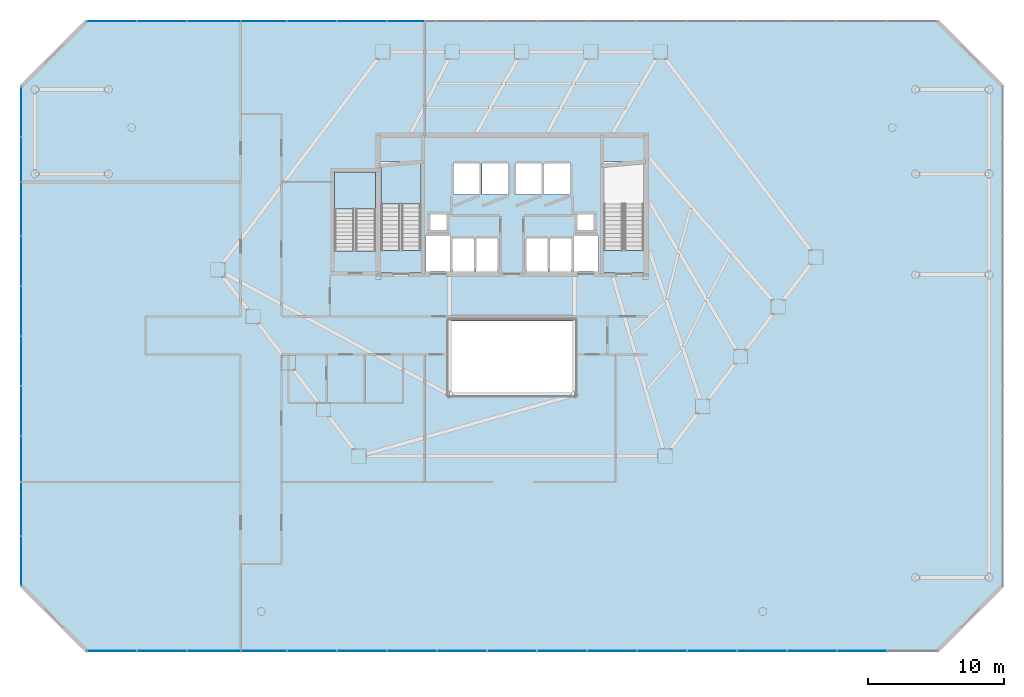
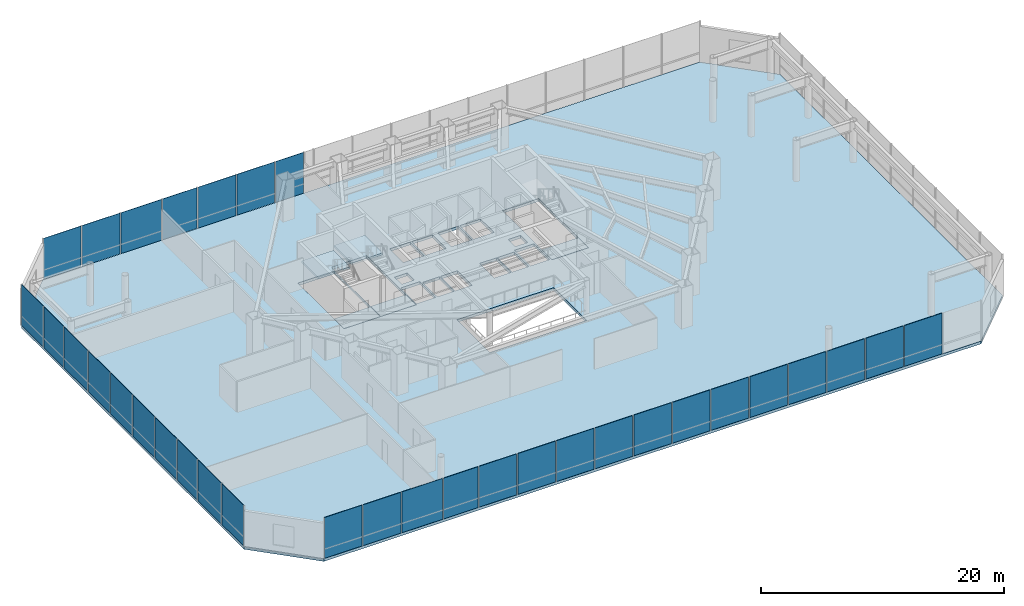
# One storey, part 32 of 37: 33 plates, 6 slabs, 5 elements without a shape of their own.
"""IFC4 building model written with IfcOpenShell, lengths in metres."""

from ifc_helpers import new_model, si_unit, direction, frame, origin, origin_2d, place, context, subcontext, project, spatial, polyline, rectangle, outline, extrude, material, layer, layer_set, type_object, element, aggregate, save


model = new_model("IFC4")

# Units and contexts
model_context = context("Model", 3, precision=1e-05, world=origin(), true_north=direction((0.0, 1.0)))
body_context = subcontext(model_context, "Body", "Model", "MODEL_VIEW")
ifc_project = project(units=[si_unit("LENGTHUNIT", "METRE"), si_unit("AREAUNIT", "SQUARE_METRE"), si_unit("VOLUMEUNIT", "CUBIC_METRE"), si_unit("PLANEANGLEUNIT", "RADIAN"), si_unit("MASSUNIT", "GRAM", prefix="KILO")], contexts=[model_context])

# Site, building, storey
site_placement = place(None, origin())
site = spatial("IfcSite", under=ifc_project, at=site_placement, CompositionType="ELEMENT")
building_placement = place(site_placement, origin())
building = spatial("IfcBuilding", under=site, at=building_placement, Name="Zarrinselat Tower", CompositionType="ELEMENT")
storey_placement = place(building_placement, frame((0.0, 0.0, 9.52001953125)))
storey = spatial("IfcBuildingStorey", under=building, at=storey_placement, Name="L02", CompositionType="ELEMENT", Elevation=9.52001953125)

# Curtain wall, plates
ifc_material_1 = material(Name="Extruded Aluminium Alloy EN AW-6063 T6", Category="aluminium")
ifc_layer_1 = layer(ifc_material_1, 0.2099609375)
ifc_layer_set_1 = layer_set([ifc_layer_1], Name="Extruded Aluminium Alloy EN AW-6063 T6")
curtain_wall_type = type_object("IfcCurtainWallType", Name="CWS-POD", PredefinedType="NOTDEFINED", material=ifc_layer_set_1)
curtain_wall_1_placement = place(storey_placement, origin())
curtain_wall_1 = element("IfcCurtainWall", 1, at=curtain_wall_1_placement, inside=storey, type_object=curtain_wall_type, Name="L02 Unitised Curtain Wall CW-L02-F1", PredefinedType="NOTDEFINED")
ifc_material_2 = material(Name="Double Low-E Laminated Solar Glass", Category="glass")
ifc_layer_2 = layer(ifc_material_2, 0.035888671875)
ifc_layer_set_2 = layer_set([ifc_layer_2], Name="Double Low-E Laminated Solar Glass")
plate_type = type_object("IfcPlateType", Name="PLT-CW-GL36", PredefinedType="CURTAIN_PANEL", material=ifc_layer_set_2)
plate_1_placement = place(storey_placement, frame((9.035400390625, 5.60009765625, 0.02001953125), z_axis=(0.0, 0.0, 1.0), x_axis=(1.0, 0.0, 0.0)))
plate_1 = element("IfcPlate", 2, at=plate_1_placement, type_object=plate_type, Name="CW-L02-F1 Vision Glass Panel 1", PredefinedType="CURTAIN_PANEL", context=body_context, shape_type="SweptSolid", body=[
    extrude(rectangle(XDim=3.570556640625, YDim=0.035888671875, at=origin_2d()), origin(), (0.0, 0.0, 1.0), 4.10009765625),
])
plate_2_placement = place(storey_placement, frame((12.705810546875, 5.60009765625, 0.02001953125), z_axis=(0.0, 0.0, 1.0), x_axis=(1.0, 0.0, 0.0)))
plate_2 = element("IfcPlate", 3, at=plate_2_placement, type_object=plate_type, Name="CW-L02-F1 Vision Glass Panel 2", PredefinedType="CURTAIN_PANEL", context=body_context, shape_type="SweptSolid", body=[
    extrude(rectangle(XDim=3.570556640625, YDim=0.035888671875, at=origin_2d()), origin(), (0.0, 0.0, 1.0), 4.10009765625),
])
plate_3_placement = place(storey_placement, frame((16.5205078125, 5.60009765625, 0.02001953125), z_axis=(0.0, 0.0, 1.0), x_axis=(1.0, 0.0, 0.0)))
plate_3 = element("IfcPlate", 4, at=plate_3_placement, type_object=plate_type, Name="CW-L02-F1 Vision Glass Panel 3", PredefinedType="CURTAIN_PANEL", context=body_context, shape_type="SweptSolid", body=[
    extrude(rectangle(XDim=3.85888671875, YDim=0.035888671875, at=origin_2d()), origin(), (0.0, 0.0, 1.0), 4.10009765625),
])
plate_4_placement = place(storey_placement, frame((20.191162109375, 5.60009765625, 0.02001953125), z_axis=(0.0, 0.0, 1.0), x_axis=(1.0, 0.0, 0.0)))
plate_4 = element("IfcPlate", 5, at=plate_4_placement, type_object=plate_type, Name="CW-L02-F1 Vision Glass Panel 4", PredefinedType="CURTAIN_PANEL", context=body_context, shape_type="SweptSolid", body=[
    extrude(rectangle(XDim=3.282470703125, YDim=0.035888671875, at=origin_2d()), origin(), (0.0, 0.0, 1.0), 4.10009765625),
])
plate_5_placement = place(storey_placement, frame((23.717529296875, 5.60009765625, 0.02001953125), z_axis=(0.0, 0.0, 1.0), x_axis=(1.0, 0.0, 0.0)))
plate_5 = element("IfcPlate", 6, at=plate_5_placement, type_object=plate_type, Name="CW-L02-F1 Vision Glass Panel 5", PredefinedType="CURTAIN_PANEL", context=body_context, shape_type="SweptSolid", body=[
    extrude(rectangle(XDim=3.570556640625, YDim=0.035888671875, at=origin_2d()), origin(), (0.0, 0.0, 1.0), 4.10009765625),
])
plate_6_placement = place(storey_placement, frame((27.38818359375, 5.60009765625, 0.02001953125), z_axis=(0.0, 0.0, 1.0), x_axis=(1.0, 0.0, 0.0)))
plate_6 = element("IfcPlate", 7, at=plate_6_placement, type_object=plate_type, Name="CW-L02-F1 Vision Glass Panel 6", PredefinedType="CURTAIN_PANEL", context=body_context, shape_type="SweptSolid", body=[
    extrude(rectangle(XDim=3.570556640625, YDim=0.035888671875, at=origin_2d()), origin(), (0.0, 0.0, 1.0), 4.10009765625),
])
plate_7_placement = place(storey_placement, frame((31.058837890625, 5.60009765625, 0.02001953125), z_axis=(0.0, 0.0, 1.0), x_axis=(1.0, 0.0, 0.0)))
plate_7 = element("IfcPlate", 8, at=plate_7_placement, type_object=plate_type, Name="CW-L02-F1 Vision Glass Panel 7", PredefinedType="CURTAIN_PANEL", context=body_context, shape_type="SweptSolid", body=[
    extrude(rectangle(XDim=3.570556640625, YDim=0.035888671875, at=origin_2d()), origin(), (0.0, 0.0, 1.0), 4.10009765625),
])
plate_8_placement = place(storey_placement, frame((34.7294921875, 5.60009765625, 0.02001953125), z_axis=(0.0, 0.0, 1.0), x_axis=(1.0, 0.0, 0.0)))
plate_8 = element("IfcPlate", 9, at=plate_8_placement, type_object=plate_type, Name="CW-L02-F1 Vision Glass Panel 8", PredefinedType="CURTAIN_PANEL", context=body_context, shape_type="SweptSolid", body=[
    extrude(rectangle(XDim=3.570556640625, YDim=0.035888671875, at=origin_2d()), origin(), (0.0, 0.0, 1.0), 4.10009765625),
])
plate_9_placement = place(storey_placement, frame((38.39990234375, 5.60009765625, 0.02001953125), z_axis=(0.0, 0.0, 1.0), x_axis=(1.0, 0.0, 0.0)))
plate_9 = element("IfcPlate", 10, at=plate_9_placement, type_object=plate_type, Name="CW-L02-F1 Vision Glass Panel 9", PredefinedType="CURTAIN_PANEL", context=body_context, shape_type="SweptSolid", body=[
    extrude(rectangle(XDim=3.570556640625, YDim=0.035888671875, at=origin_2d()), origin(), (0.0, 0.0, 1.0), 4.10009765625),
])
plate_10_placement = place(storey_placement, frame((42.070556640625, 5.60009765625, 0.02001953125), z_axis=(0.0, 0.0, 1.0), x_axis=(1.0, 0.0, 0.0)))
plate_10 = element("IfcPlate", 11, at=plate_10_placement, type_object=plate_type, Name="CW-L02-F1 Vision Glass Panel 10", PredefinedType="CURTAIN_PANEL", context=body_context, shape_type="SweptSolid", body=[
    extrude(rectangle(XDim=3.570556640625, YDim=0.035888671875, at=origin_2d()), origin(), (0.0, 0.0, 1.0), 4.10009765625),
])
plate_11_placement = place(storey_placement, frame((45.7412109375, 5.60009765625, 0.02001953125), z_axis=(0.0, 0.0, 1.0), x_axis=(1.0, 0.0, 0.0)))
plate_11 = element("IfcPlate", 12, at=plate_11_placement, type_object=plate_type, Name="CW-L02-F1 Vision Glass Panel 11", PredefinedType="CURTAIN_PANEL", context=body_context, shape_type="SweptSolid", body=[
    extrude(rectangle(XDim=3.570556640625, YDim=0.035888671875, at=origin_2d()), origin(), (0.0, 0.0, 1.0), 4.10009765625),
])
plate_12_placement = place(storey_placement, frame((49.411865234375, 5.60009765625, 0.02001953125), z_axis=(0.0, 0.0, 1.0), x_axis=(1.0, 0.0, 0.0)))
plate_12 = element("IfcPlate", 13, at=plate_12_placement, type_object=plate_type, Name="CW-L02-F1 Vision Glass Panel 12", PredefinedType="CURTAIN_PANEL", context=body_context, shape_type="SweptSolid", body=[
    extrude(rectangle(XDim=3.570556640625, YDim=0.035888671875, at=origin_2d()), origin(), (0.0, 0.0, 1.0), 4.10009765625),
])
plate_13_placement = place(storey_placement, frame((53.08251953125, 5.60009765625, 0.02001953125), z_axis=(0.0, 0.0, 1.0), x_axis=(1.0, 0.0, 0.0)))
plate_13 = element("IfcPlate", 14, at=plate_13_placement, type_object=plate_type, Name="CW-L02-F1 Vision Glass Panel 13", PredefinedType="CURTAIN_PANEL", context=body_context, shape_type="SweptSolid", body=[
    extrude(rectangle(XDim=3.570556640625, YDim=0.035888671875, at=origin_2d()), origin(), (0.0, 0.0, 1.0), 4.10009765625),
])
plate_14_placement = place(storey_placement, frame((56.7529296875, 5.60009765625, 0.02001953125), z_axis=(0.0, 0.0, 1.0), x_axis=(1.0, 0.0, 0.0)))
plate_14 = element("IfcPlate", 15, at=plate_14_placement, type_object=plate_type, Name="CW-L02-F1 Vision Glass Panel 14", PredefinedType="CURTAIN_PANEL", context=body_context, shape_type="SweptSolid", body=[
    extrude(rectangle(XDim=3.570556640625, YDim=0.035888671875, at=origin_2d()), origin(), (0.0, 0.0, 1.0), 4.10009765625),
])
plate_15_placement = place(storey_placement, frame((60.423583984375, 5.60009765625, 0.02001953125), z_axis=(0.0, 0.0, 1.0), x_axis=(1.0, 0.0, 0.0)))
plate_15 = element("IfcPlate", 16, at=plate_15_placement, type_object=plate_type, Name="CW-L02-F1 Vision Glass Panel 15", PredefinedType="CURTAIN_PANEL", context=body_context, shape_type="SweptSolid", body=[
    extrude(rectangle(XDim=3.570556640625, YDim=0.035888671875, at=origin_2d()), origin(), (0.0, 0.0, 1.0), 4.10009765625),
])
plate_16_placement = place(storey_placement, frame((64.093994140625, 5.60009765625, 0.02001953125), z_axis=(0.0, 0.0, 1.0), x_axis=(1.0, 0.0, 0.0)))
plate_16 = element("IfcPlate", 17, at=plate_16_placement, type_object=plate_type, Name="CW-L02-F1 Vision Glass Panel 16", PredefinedType="CURTAIN_PANEL", context=body_context, shape_type="SweptSolid", body=[
    extrude(rectangle(XDim=3.570556640625, YDim=0.035888671875, at=origin_2d()), origin(), (0.0, 0.0, 1.0), 4.10009765625),
])
aggregate(curtain_wall_1, [plate_1, plate_2, plate_3, plate_4, plate_5, plate_6, plate_7, plate_8, plate_9, plate_10, plate_11, plate_12, plate_13, plate_14, plate_15, plate_16])

curtain_wall_2_placement = place(storey_placement, origin())
curtain_wall_2 = element("IfcCurtainWall", 18, at=curtain_wall_2_placement, inside=storey, type_object=curtain_wall_type, Name="L02 Unitised Curtain Wall CW-L02-F5", PredefinedType="NOTDEFINED")
plate_17_placement = place(storey_placement, frame((30.61181640625, 51.800048828125, 0.02001953125), z_axis=(0.0, 0.0, 1.0), x_axis=(-1.0, 0.0, 0.0)))
plate_17 = element("IfcPlate", 19, at=plate_17_placement, type_object=plate_type, Name="CW-L02-F5 Vision Glass Panel 12", PredefinedType="CURTAIN_PANEL", context=body_context, shape_type="SweptSolid", body=[
    extrude(rectangle(XDim=2.676513671875, YDim=0.035888671875, at=origin_2d()), origin(), (0.0, 0.0, 1.0), 4.10009765625),
])
plate_18_placement = place(storey_placement, frame((27.38818359375, 51.800048828125, 0.02001953125), z_axis=(0.0, 0.0, 1.0), x_axis=(-1.0, 0.0, 0.0)))
plate_18 = element("IfcPlate", 20, at=plate_18_placement, type_object=plate_type, Name="CW-L02-F5 Vision Glass Panel 13", PredefinedType="CURTAIN_PANEL", context=body_context, shape_type="SweptSolid", body=[
    extrude(rectangle(XDim=3.570556640625, YDim=0.035888671875, at=origin_2d()), origin(), (0.0, 0.0, 1.0), 4.10009765625),
])
plate_19_placement = place(storey_placement, frame((23.717529296875, 51.800048828125, 0.02001953125), z_axis=(0.0, 0.0, 1.0), x_axis=(-1.0, 0.0, 0.0)))
plate_19 = element("IfcPlate", 21, at=plate_19_placement, type_object=plate_type, Name="CW-L02-F5 Vision Glass Panel 14", PredefinedType="CURTAIN_PANEL", context=body_context, shape_type="SweptSolid", body=[
    extrude(rectangle(XDim=3.570556640625, YDim=0.035888671875, at=origin_2d()), origin(), (0.0, 0.0, 1.0), 4.10009765625),
])
plate_20_placement = place(storey_placement, frame((20.191162109375, 51.800048828125, 0.02001953125), z_axis=(0.0, 0.0, 1.0), x_axis=(-1.0, 0.0, 0.0)))
plate_20 = element("IfcPlate", 22, at=plate_20_placement, type_object=plate_type, Name="CW-L02-F5 Vision Glass Panel 15", PredefinedType="CURTAIN_PANEL", context=body_context, shape_type="SweptSolid", body=[
    extrude(rectangle(XDim=3.282470703125, YDim=0.035888671875, at=origin_2d()), origin(), (0.0, 0.0, 1.0), 4.10009765625),
])
plate_21_placement = place(storey_placement, frame((16.5205078125, 51.800048828125, 0.02001953125), z_axis=(0.0, 0.0, 1.0), x_axis=(-1.0, 0.0, 0.0)))
plate_21 = element("IfcPlate", 23, at=plate_21_placement, type_object=plate_type, Name="CW-L02-F5 Vision Glass Panel 16", PredefinedType="CURTAIN_PANEL", context=body_context, shape_type="SweptSolid", body=[
    extrude(rectangle(XDim=3.85888671875, YDim=0.035888671875, at=origin_2d()), origin(), (0.0, 0.0, 1.0), 4.10009765625),
])
plate_22_placement = place(storey_placement, frame((12.705810546875, 51.800048828125, 0.02001953125), z_axis=(0.0, 0.0, 1.0), x_axis=(-1.0, 0.0, 0.0)))
plate_22 = element("IfcPlate", 24, at=plate_22_placement, type_object=plate_type, Name="CW-L02-F5 Vision Glass Panel 17", PredefinedType="CURTAIN_PANEL", context=body_context, shape_type="SweptSolid", body=[
    extrude(rectangle(XDim=3.570556640625, YDim=0.035888671875, at=origin_2d()), origin(), (0.0, 0.0, 1.0), 4.10009765625),
])
plate_23_placement = place(storey_placement, frame((9.035400390625, 51.800048828125, 0.02001953125), z_axis=(0.0, 0.0, 1.0), x_axis=(-1.0, 0.0, 0.0)))
plate_23 = element("IfcPlate", 25, at=plate_23_placement, type_object=plate_type, Name="CW-L02-F5 Vision Glass Panel 18", PredefinedType="CURTAIN_PANEL", context=body_context, shape_type="SweptSolid", body=[
    extrude(rectangle(XDim=3.570556640625, YDim=0.035888671875, at=origin_2d()), origin(), (0.0, 0.0, 1.0), 4.10009765625),
])
aggregate(curtain_wall_2, [plate_17, plate_18, plate_19, plate_20, plate_21, plate_22, plate_23])

curtain_wall_3_placement = place(storey_placement, origin())
curtain_wall_3 = element("IfcCurtainWall", 26, at=curtain_wall_3_placement, inside=storey, type_object=curtain_wall_type, Name="L02 Unitised Curtain Wall CW-L02-F7", PredefinedType="NOTDEFINED")
plate_24_placement = place(storey_placement, frame((2.39990234375, 45.169921875, 0.02001953125), z_axis=(0.0, 0.0, 1.0), x_axis=(0.0, -1.0, 0.0)))
plate_24 = element("IfcPlate", 27, at=plate_24_placement, type_object=plate_type, Name="CW-L02-F7 Vision Glass Panel 1", PredefinedType="CURTAIN_PANEL", context=body_context, shape_type="SweptSolid", body=[
    extrude(rectangle(XDim=3.56005859375, YDim=0.035888671875, at=origin_2d()), origin(), (0.0, 0.0, 1.0), 4.10009765625),
])
plate_25_placement = place(storey_placement, frame((2.39990234375, 41.669921875, 0.02001953125), z_axis=(0.0, 0.0, 1.0), x_axis=(0.0, -1.0, 0.0)))
plate_25 = element("IfcPlate", 28, at=plate_25_placement, type_object=plate_type, Name="CW-L02-F7 Vision Glass Panel 2", PredefinedType="CURTAIN_PANEL", context=body_context, shape_type="SweptSolid", body=[
    extrude(rectangle(XDim=3.239990234375, YDim=0.035888671875, at=origin_2d()), origin(), (0.0, 0.0, 1.0), 4.10009765625),
])
plate_26_placement = place(storey_placement, frame((2.39990234375, 38.010009765625, 0.02001953125), z_axis=(0.0, 0.0, 1.0), x_axis=(0.0, -1.0, 0.0)))
plate_26 = element("IfcPlate", 29, at=plate_26_placement, type_object=plate_type, Name="CW-L02-F7 Vision Glass Panel 3", PredefinedType="CURTAIN_PANEL", context=body_context, shape_type="SweptSolid", body=[
    extrude(rectangle(XDim=3.8798828125, YDim=0.035888671875, at=origin_2d()), origin(), (0.0, 0.0, 1.0), 4.10009765625),
])
plate_27_placement = place(storey_placement, frame((2.39990234375, 34.18994140625, 0.02001953125), z_axis=(0.0, 0.0, 1.0), x_axis=(0.0, -1.0, 0.0)))
plate_27 = element("IfcPlate", 30, at=plate_27_placement, type_object=plate_type, Name="CW-L02-F7 Vision Glass Panel 4", PredefinedType="CURTAIN_PANEL", context=body_context, shape_type="SweptSolid", body=[
    extrude(rectangle(XDim=3.56005859375, YDim=0.035888671875, at=origin_2d()), origin(), (0.0, 0.0, 1.0), 4.10009765625),
])
plate_28_placement = place(storey_placement, frame((2.39990234375, 30.530029296875, 0.02001953125), z_axis=(0.0, 0.0, 1.0), x_axis=(0.0, -1.0, 0.0)))
plate_28 = element("IfcPlate", 31, at=plate_28_placement, type_object=plate_type, Name="CW-L02-F7 Vision Glass Panel 5", PredefinedType="CURTAIN_PANEL", context=body_context, shape_type="SweptSolid", body=[
    extrude(rectangle(XDim=3.56005859375, YDim=0.035888671875, at=origin_2d()), origin(), (0.0, 0.0, 1.0), 4.10009765625),
])
plate_29_placement = place(storey_placement, frame((2.39990234375, 26.8701171875, 0.02001953125), z_axis=(0.0, 0.0, 1.0), x_axis=(0.0, -1.0, 0.0)))
plate_29 = element("IfcPlate", 32, at=plate_29_placement, type_object=plate_type, Name="CW-L02-F7 Vision Glass Panel 6", PredefinedType="CURTAIN_PANEL", context=body_context, shape_type="SweptSolid", body=[
    extrude(rectangle(XDim=3.56005859375, YDim=0.035888671875, at=origin_2d()), origin(), (0.0, 0.0, 1.0), 4.10009765625),
])
plate_30_placement = place(storey_placement, frame((2.39990234375, 23.2099609375, 0.02001953125), z_axis=(0.0, 0.0, 1.0), x_axis=(0.0, -1.0, 0.0)))
plate_30 = element("IfcPlate", 33, at=plate_30_placement, type_object=plate_type, Name="CW-L02-F7 Vision Glass Panel 7", PredefinedType="CURTAIN_PANEL", context=body_context, shape_type="SweptSolid", body=[
    extrude(rectangle(XDim=3.56005859375, YDim=0.035888671875, at=origin_2d()), origin(), (0.0, 0.0, 1.0), 4.10009765625),
])
plate_31_placement = place(storey_placement, frame((2.39990234375, 19.68994140625, 0.02001953125), z_axis=(0.0, 0.0, 1.0), x_axis=(0.0, -1.0, 0.0)))
plate_31 = element("IfcPlate", 34, at=plate_31_placement, type_object=plate_type, Name="CW-L02-F7 Vision Glass Panel 8", PredefinedType="CURTAIN_PANEL", context=body_context, shape_type="SweptSolid", body=[
    extrude(rectangle(XDim=3.280029296875, YDim=0.035888671875, at=origin_2d()), origin(), (0.0, 0.0, 1.0), 4.10009765625),
])
plate_32_placement = place(storey_placement, frame((2.39990234375, 16.030029296875, 0.02001953125), z_axis=(0.0, 0.0, 1.0), x_axis=(0.0, -1.0, 0.0)))
plate_32 = element("IfcPlate", 35, at=plate_32_placement, type_object=plate_type, Name="CW-L02-F7 Vision Glass Panel 9", PredefinedType="CURTAIN_PANEL", context=body_context, shape_type="SweptSolid", body=[
    extrude(rectangle(XDim=3.840087890625, YDim=0.035888671875, at=origin_2d()), origin(), (0.0, 0.0, 1.0), 4.10009765625),
])
plate_33_placement = place(storey_placement, frame((2.39990234375, 12.22998046875, 0.02001953125), z_axis=(0.0, 0.0, 1.0), x_axis=(0.0, -1.0, 0.0)))
plate_33 = element("IfcPlate", 36, at=plate_33_placement, type_object=plate_type, Name="CW-L02-F7 Vision Glass Panel 10", PredefinedType="CURTAIN_PANEL", context=body_context, shape_type="SweptSolid", body=[
    extrude(rectangle(XDim=3.56005859375, YDim=0.035888671875, at=origin_2d()), origin(), (0.0, 0.0, 1.0), 4.10009765625),
])
aggregate(curtain_wall_3, [plate_24, plate_25, plate_26, plate_27, plate_28, plate_29, plate_30, plate_31, plate_32, plate_33])

# Slabs
ifc_material_3 = material(Name="Concrete C40/50", Category="concrete")
ifc_layer_3 = layer(ifc_material_3, 0.280029296875)
ifc_layer_set_3 = layer_set([ifc_layer_3], Name="Concrete C40/50")
slab_type_1 = type_object("IfcSlabType", Name="SLB-FLOOR-280-SL-PD280", PredefinedType="FLOOR", material=ifc_layer_set_3)
slab_1_placement = place(storey_placement, frame((0.0, 0.0, -0.280029296875)))
element("IfcSlab", 37, at=slab_1_placement, inside=storey, type_object=slab_type_1, Name="L02 Primary Structural Slab", PredefinedType="FLOOR", context=body_context, shape_type="SweptSolid", body=[
    extrude(outline(polyline([(7.199951171875, 5.60009765625), (69.60009765625, 5.60009765625), (74.39990234375, 10.39990234375), (74.39990234375, 47.0), (69.60009765625, 51.800048828125), (7.199951171875, 51.800048828125), (2.39990234375, 47.0), (2.39990234375, 10.39990234375), (7.199951171875, 5.60009765625)]), holes=[polyline([(34.050048828125, 33.449951171875), (34.050048828125, 35.85009765625), (35.64990234375, 35.85009765625), (35.64990234375, 33.449951171875), (34.050048828125, 33.449951171875)]), polyline([(35.75, 33.449951171875), (35.75, 35.85009765625), (37.35009765625, 35.85009765625), (37.35009765625, 33.449951171875), (35.75, 33.449951171875)]), polyline([(32.06005859375, 33.449951171875), (32.06005859375, 36.050048828125), (33.89990234375, 36.050048828125), (33.89990234375, 33.449951171875), (32.06005859375, 33.449951171875)]), polyline([(32.419921875, 36.47998046875), (32.419921875, 37.639892578125), (33.60009765625, 37.639892578125), (33.60009765625, 36.47998046875), (32.419921875, 36.47998046875)]), polyline([(28.594970703125, 33.324951171875), (25.114990234375, 33.324951171875), (25.114990234375, 40.875), (28.594970703125, 40.875), (28.594970703125, 33.324951171875)]), polyline([(31.985107421875, 33.324951171875), (28.60498046875, 33.324951171875), (28.60498046875, 41.47509765625), (31.985107421875, 41.47509765625), (31.985107421875, 33.324951171875)]), polyline([(34.10009765625, 39.10009765625), (34.10009765625, 41.35009765625), (36.050048828125, 41.35009765625), (36.050048828125, 39.10009765625), (34.10009765625, 39.10009765625)]), polyline([(36.199951171875, 39.10009765625), (36.199951171875, 41.35009765625), (38.14990234375, 41.35009765625), (38.14990234375, 39.10009765625), (36.199951171875, 39.10009765625)]), polyline([(33.800048828125, 24.39990234375), (33.800048828125, 29.800048828125), (43.0, 29.800048828125), (43.0, 24.39990234375), (33.800048828125, 24.39990234375)]), polyline([(39.449951171875, 33.449951171875), (39.449951171875, 35.85009765625), (41.050048828125, 35.85009765625), (41.050048828125, 33.449951171875), (39.449951171875, 33.449951171875)]), polyline([(41.14990234375, 33.449951171875), (41.14990234375, 35.85009765625), (42.75, 35.85009765625), (42.75, 33.449951171875), (41.14990234375, 33.449951171875)]), polyline([(42.89990234375, 33.449951171875), (42.89990234375, 36.050048828125), (44.739990234375, 36.050048828125), (44.739990234375, 33.449951171875), (42.89990234375, 33.449951171875)]), polyline([(43.199951171875, 36.47998046875), (43.199951171875, 37.639892578125), (44.3798828125, 37.639892578125), (44.3798828125, 36.47998046875), (43.199951171875, 36.47998046875)]), polyline([(48.324951171875, 33.324951171875), (44.875, 33.324951171875), (44.875, 41.47509765625), (48.324951171875, 41.47509765625), (48.324951171875, 33.324951171875)]), polyline([(38.64990234375, 39.10009765625), (38.64990234375, 41.35009765625), (40.60009765625, 41.35009765625), (40.60009765625, 39.10009765625), (38.64990234375, 39.10009765625)]), polyline([(40.75, 39.10009765625), (40.75, 41.35009765625), (42.699951171875, 41.35009765625), (42.699951171875, 39.10009765625), (40.75, 39.10009765625)])]), origin(), (0.0, 0.0, 1.0), 0.280029296875),
])
slab_2_placement = place(storey_placement, frame((0.0, 0.0, -0.280029296875)))
element("IfcSlab", 38, at=slab_2_placement, inside=storey, type_object=slab_type_1, Name="L02 Stair ST-1-FL1 Structural Floor Landing", PredefinedType="FLOOR", context=body_context, shape_type="SweptSolid", body=[
    extrude(outline(polyline([(31.97998046875, 33.330078125), (31.97998046875, 35.0), (28.610107421875, 35.0), (28.610107421875, 33.330078125), (31.97998046875, 33.330078125)])), origin(), (0.0, 0.0, 1.0), 0.280029296875),
])
slab_3_placement = place(storey_placement, frame((0.0, 0.0, -0.280029296875)))
element("IfcSlab", 39, at=slab_3_placement, inside=storey, type_object=slab_type_1, Name="L02 Stair ST-2-FL1 Structural Floor Landing", PredefinedType="FLOOR", context=body_context, shape_type="SweptSolid", body=[
    extrude(outline(polyline([(48.320068359375, 33.330078125), (48.320068359375, 35.0), (44.8798828125, 35.0), (44.8798828125, 33.330078125), (48.320068359375, 33.330078125)])), origin(), (0.0, 0.0, 1.0), 0.280029296875),
])
slab_4_placement = place(storey_placement, frame((0.0, 0.0, -0.280029296875)))
element("IfcSlab", 40, at=slab_4_placement, inside=storey, type_object=slab_type_1, Name="L02 Stair ST-3-FL1 Structural Floor Landing", PredefinedType="FLOOR", context=body_context, shape_type="SweptSolid", body=[
    extrude(outline(polyline([(28.590087890625, 33.330078125), (28.590087890625, 34.949951171875), (25.1201171875, 34.949951171875), (25.1201171875, 33.330078125), (28.590087890625, 33.330078125)])), origin(), (0.0, 0.0, 1.0), 0.280029296875),
])

# Stair, slab
ifc_material_4 = material(Name="Concrete C40/50", Category="concrete")
stair_type_1 = type_object("IfcStairType", Name="STR-CORE-145", PredefinedType="HALF_TURN_STAIR", material=ifc_material_4)
stair_1_placement = place(storey_placement, origin())
stair_1 = element("IfcStair", 41, at=stair_1_placement, inside=storey, type_object=stair_type_1, Name="L02 Podium & Mid-Tower Exit Stair 3", PredefinedType="HALF_TURN_STAIR")
ifc_material_5 = material(Name="Concrete C40/50", Category="concrete")
ifc_layer_4 = layer(ifc_material_5, 0.1650390625)
ifc_layer_set_4 = layer_set([ifc_layer_4], Name="Concrete C40/50")
slab_type_2 = type_object("IfcSlabType", Name="SLB-LND-165", PredefinedType="LANDING", material=ifc_layer_set_4)
slab_5_placement = place(storey_placement, frame((0.0, 0.0, 2.010009765625)))
slab_5 = element("IfcSlab", 42, at=slab_5_placement, type_object=slab_type_2, Name="ST-3 landing 1", PredefinedType="LANDING", context=body_context, shape_type="SweptSolid", body=[
    extrude(outline(polyline([(28.39990234375, 38.030029296875), (28.39990234375, 40.75), (25.3798828125, 40.75), (25.3798828125, 38.030029296875), (28.39990234375, 38.030029296875)])), origin(), (0.0, 0.0, 1.0), 0.199951171875),
])
aggregate(stair_1, [slab_5])

ifc_material_6 = material(Name="Concrete C40/50", Category="concrete")
stair_type_2 = type_object("IfcStairType", Name="STR-CORE-155", PredefinedType="HALF_TURN_STAIR", material=ifc_material_6)
stair_2_placement = place(storey_placement, origin())
stair_2 = element("IfcStair", 43, at=stair_2_placement, inside=storey, type_object=stair_type_2, Name="L02 Core Exit Stair 1", PredefinedType="HALF_TURN_STAIR")
ifc_material_7 = material(Name="Concrete C40/50", Category="concrete")
ifc_layer_5 = layer(ifc_material_7, 0.18994140625)
ifc_layer_set_5 = layer_set([ifc_layer_5], Name="Concrete C40/50")
slab_type_3 = type_object("IfcSlabType", Name="SLB-LND-190", PredefinedType="LANDING", material=ifc_layer_set_5)
slab_6_placement = place(storey_placement, frame((0.0, 0.0, 2.010009765625)))
slab_6 = element("IfcSlab", 44, at=slab_6_placement, type_object=slab_type_3, Name="ST-1 landing 1", PredefinedType="LANDING", context=body_context, shape_type="SweptSolid", body=[
    extrude(outline(polyline([(31.719970703125, 38.409912109375), (31.719970703125, 41.35009765625), (28.800048828125, 41.35009765625), (28.800048828125, 38.409912109375), (31.719970703125, 38.409912109375)])), origin(), (0.0, 0.0, 1.0), 0.199951171875),
])
aggregate(stair_2, [slab_6])

save(model, "model.ifc")
